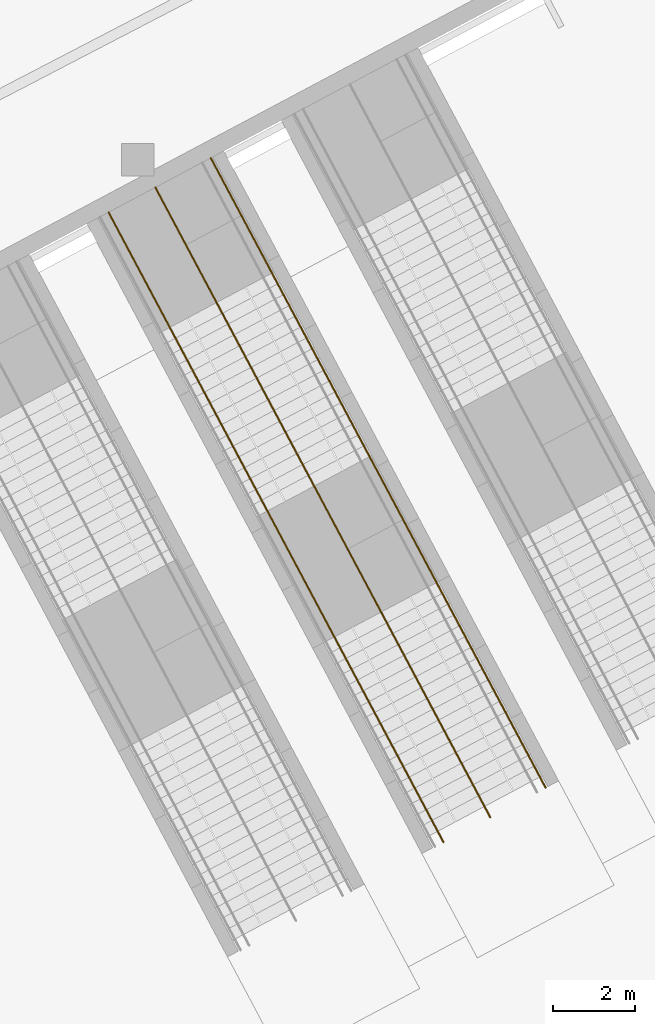
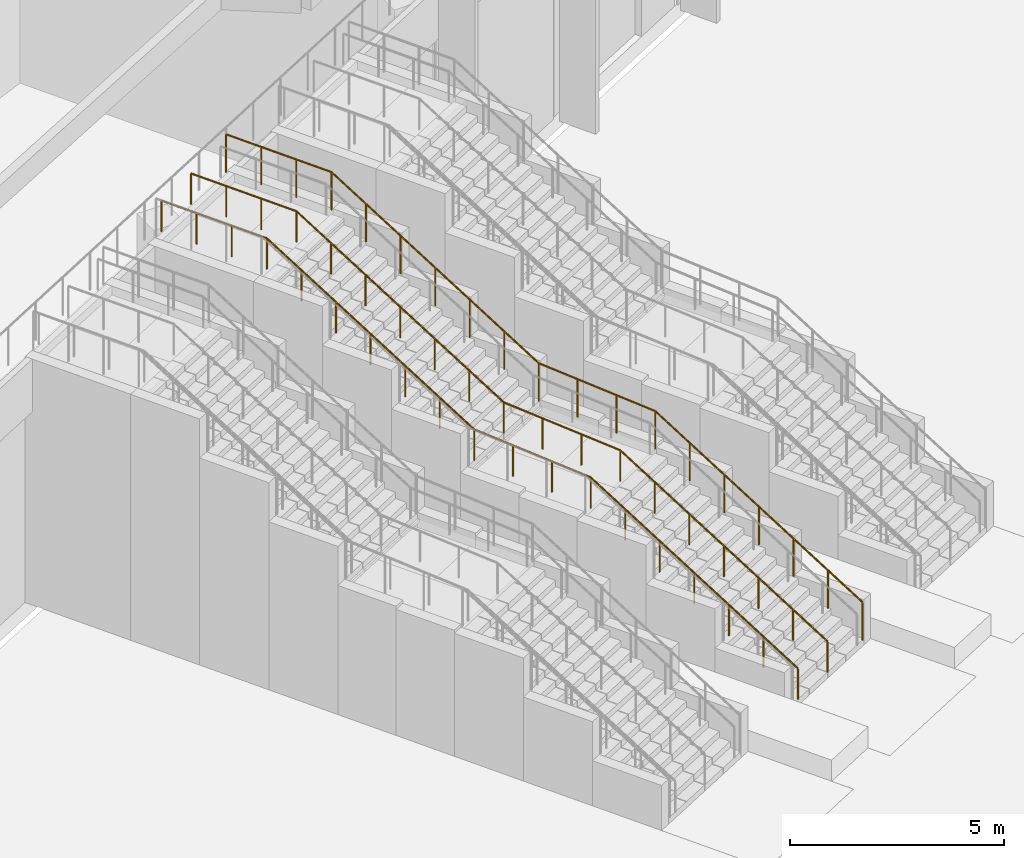
# One storey, part 48 of 57: 3 railings.
"""IFC4 building model written with IfcOpenShell, lengths in metres."""

import ifcopenshell
import ifcopenshell.guid

model = None  # the IFC model being written
_history = None  # IfcOwnerHistory: only IFC2X3 demands one
_inside = {}  # id of a spatial element -> (the spatial element, [elements in it])
_under = {}  # id of a project, library or spatial element -> (it, [spatial elements below it])
_declared = {}  # id of a project -> (the project, [libraries it declares])
_typed = {}  # id of a type object -> (the type object, [elements of that type])
_made_of = {}  # id of a material, layer set ... -> (it, [elements and type objects made of it])


def new_model(schema):
    """Start an empty IFC model of exactly this schema.

    Asked for "IFC4X3", IfcOpenShell would pick the latest addendum, in which some entities
    have other attributes; the version numbers below select the first issue.
    IFC2X3 requires an IfcOwnerHistory on every rooted entity: one is made here for all.
    """
    global model, _history
    if schema == "IFC4X3":
        model = ifcopenshell.file(schema_version=(4, 3, 0, 0))
    else:
        model = ifcopenshell.file(schema=schema)
    _inside.clear()
    _under.clear()
    _declared.clear()
    _typed.clear()
    _made_of.clear()
    _history = None
    if model.schema == "IFC2X3":
        org = make("IfcOrganization", Name="unknown")
        user = make(
            "IfcPersonAndOrganization",
            ThePerson=make("IfcPerson", FamilyName="unknown"),
            TheOrganization=org,
        )
        app = make(
            "IfcApplication",
            ApplicationDeveloper=org,
            Version="unknown",
            ApplicationFullName="unknown",
            ApplicationIdentifier="unknown",
        )
        _history = make(
            "IfcOwnerHistory",
            OwningUser=user,
            OwningApplication=app,
            ChangeAction="ADDED",
            CreationDate=0,
        )
    return model


def make(cls, **values):
    """One entity of the class cls with the attributes given. An attribute that is None is left unset."""
    return model.create_entity(
        cls, **{name: value for name, value in values.items() if value is not None}
    )


def rooted(cls, **values):
    """An entity with a GlobalId (a new one), such as an element, a storey or a relation."""
    return make(cls, GlobalId=ifcopenshell.guid.new(), OwnerHistory=_history, **values)


def si_unit(unit_type, name, prefix=None):
    """IfcSIUnit, for example si_unit("LENGTHUNIT", "METRE", prefix="MILLI")."""
    return make("IfcSIUnit", UnitType=unit_type, Prefix=prefix, Name=name)


def assignment(units):
    """IfcUnitAssignment: the units of a project."""
    return None if units is None else make("IfcUnitAssignment", Units=units)


def point(xyz):
    """IfcCartesianPoint."""
    return None if xyz is None else make("IfcCartesianPoint", Coordinates=xyz)


def direction(xyz):
    """IfcDirection."""
    return None if xyz is None else make("IfcDirection", DirectionRatios=xyz)


def frame(location, z_axis=None, x_axis=None):
    """IfcAxis2Placement3D, a coordinate frame: its origin and axes. An axis left out is left unset."""
    return make(
        "IfcAxis2Placement3D",
        Location=point(location),
        Axis=direction(z_axis),
        RefDirection=direction(x_axis),
    )


def origin():
    """The frame at (0, 0, 0) with its axes left unset."""
    return frame((0.0, 0.0, 0.0))


def place(relative_to, where):
    """IfcLocalPlacement: puts the frame where relative to a parent placement (None: the world)."""
    return make(
        "IfcLocalPlacement", PlacementRelTo=relative_to, RelativePlacement=where
    )


def context(
    kind, dimensions, precision=None, world=None, true_north=None, identifier=None
):
    """IfcGeometricRepresentationContext, for example the 3D "Model" context."""
    return make(
        "IfcGeometricRepresentationContext",
        ContextIdentifier=identifier,
        ContextType=kind,
        CoordinateSpaceDimension=dimensions,
        Precision=precision,
        WorldCoordinateSystem=world,
        TrueNorth=true_north,
    )


def subcontext(parent, identifier, kind, view, scale=None):
    """IfcGeometricRepresentationSubContext, for example "Body" below "Model"."""
    return make(
        "IfcGeometricRepresentationSubContext",
        ContextIdentifier=identifier,
        ContextType=kind,
        ParentContext=parent,
        TargetScale=scale,
        TargetView=view,
    )


def project(units=None, contexts=None):
    """IfcProject with its units and contexts."""
    return rooted(
        "IfcProject",
        Name="project",
        RepresentationContexts=contexts,
        UnitsInContext=assignment(units),
    )


def spatial(cls, under=None, at=None, **own):
    """A site, building, storey or space (cls), placed at a placement, below another one or the project."""
    s = rooted(cls, ObjectPlacement=at, **own)
    if under is not None:
        _under.setdefault(under.id(), (under, []))[1].append(s)
    return s


def polyline(points):
    """IfcPolyline through the points."""
    return make("IfcPolyline", Points=[point(p) for p in points])


def outline(outer, holes=None, kind="AREA"):
    """IfcArbitraryClosedProfileDef: a profile drawn as a closed curve; with holes, ...WithVoids."""
    if holes is None:
        return make("IfcArbitraryClosedProfileDef", ProfileType=kind, OuterCurve=outer)
    return make(
        "IfcArbitraryProfileDefWithVoids",
        ProfileType=kind,
        OuterCurve=outer,
        InnerCurves=holes,
    )


def extrude(swept, where, along, depth):
    """IfcExtrudedAreaSolid: the profile swept, set in the frame where, extruded along a direction by depth."""
    return make(
        "IfcExtrudedAreaSolid",
        SweptArea=swept,
        Position=where,
        ExtrudedDirection=direction(along),
        Depth=depth,
    )


def shape(context_of_items, identifier, shape_type, items):
    """IfcShapeRepresentation: the items that make up one representation, for example the "Body"."""
    return make(
        "IfcShapeRepresentation",
        ContextOfItems=context_of_items,
        RepresentationIdentifier=identifier,
        RepresentationType=shape_type,
        Items=items,
    )


def material(Name=None, Category=None):
    """IfcMaterial."""
    return make("IfcMaterial", Name=Name, Category=Category)


def made_of(thing, what):
    """Note that an element or type object is made of a material, layer set ...; save() writes the relation."""
    if what is not None:
        _made_of.setdefault(what.id(), (what, []))[1].append(thing)
    return thing


def type_object(cls, material=None, **own):
    """A type object (cls), such as IfcWallType, which elements share."""
    return made_of(rooted(cls, **own), material)


def element(
    cls,
    number,
    at=None,
    inside=None,
    cuts=None,
    type_object=None,
    material=None,
    context=None,
    identifier="Body",
    shape_type=None,
    held_by="IfcProductDefinitionShape",
    body=None,
    shapes=None,
    **own,
):
    """One element of the class cls, such as IfcWall. Its Tag is "e" and its number.

    at: its placement. inside: the storey or other place that contains it. cuts: it is an
    opening in that element (IfcRelVoidsElement). A single representation is given by context,
    identifier, shape_type and body (its items); several are given by shapes. held_by: the class
    of the entity that holds the representations. save() writes the other relations.
    """
    e = rooted(cls, Tag="e%d" % number, ObjectPlacement=at, **own)
    if body is not None:
        shapes = [shape(context, identifier, shape_type, body)]
    if shapes is not None:
        e.Representation = make(held_by, Representations=shapes)
    if inside is not None:
        _inside.setdefault(inside.id(), (inside, []))[1].append(e)
    if cuts is not None:
        rooted(
            "IfcRelVoidsElement", RelatingBuildingElement=cuts, RelatedOpeningElement=e
        )
    if type_object is not None:
        _typed.setdefault(type_object.id(), (type_object, []))[1].append(e)
    return made_of(e, material)


def aggregate(whole, parts):
    """IfcRelAggregates: a whole, such as a stair, and the parts it consists of."""
    return rooted("IfcRelAggregates", RelatingObject=whole, RelatedObjects=parts)


def save(model, path):
    """Write the relations noted so far, then the file.

    IfcRelAggregates (storeys below a building ...), IfcRelContainedInSpatialStructure (elements
    in a storey), IfcRelDefinesByType, IfcRelAssociatesMaterial and IfcRelDeclares: one each for
    every whole, place, type object, material and project.
    """
    for whole, parts in _under.values():
        aggregate(whole, parts)
    for where, things in _inside.values():
        rooted(
            "IfcRelContainedInSpatialStructure",
            RelatedElements=things,
            RelatingStructure=where,
        )
    for kind, things in _typed.values():
        rooted("IfcRelDefinesByType", RelatedObjects=things, RelatingType=kind)
    for what, things in _made_of.values():
        rooted("IfcRelAssociatesMaterial", RelatedObjects=things, RelatingMaterial=what)
    for by, libraries in _declared.values():
        rooted("IfcRelDeclares", RelatingContext=by, RelatedDefinitions=libraries)
    model.write(path)


model = new_model("IFC4")

# Units and contexts
model_context = context("Model", 3, precision=1e-05, world=origin(), true_north=direction((0.0, 1.0)))
body_context = subcontext(model_context, "Body", "Model", "MODEL_VIEW")
ifc_project = project(units=[si_unit("LENGTHUNIT", "METRE"), si_unit("AREAUNIT", "SQUARE_METRE"), si_unit("VOLUMEUNIT", "CUBIC_METRE"), si_unit("PLANEANGLEUNIT", "RADIAN"), si_unit("MASSUNIT", "GRAM", prefix="KILO")], contexts=[model_context])

# Site, building, storey
site_placement = place(None, origin())
site = spatial("IfcSite", under=ifc_project, at=site_placement, CompositionType="ELEMENT")
building_placement = place(site_placement, origin())
building = spatial("IfcBuilding", under=site, at=building_placement, Name="Cormorant Relay Tower", CompositionType="ELEMENT")
storey_placement = place(building_placement, origin())
storey = spatial("IfcBuildingStorey", under=building, at=storey_placement, Name="L00", CompositionType="ELEMENT", Elevation=0.0)

# Railings
ifc_material_1 = material(Name="Stainless steel 316", Category="steel")
railing_type_1 = type_object("IfcRailingType", Name="Podium stair handrail 900", PredefinedType="HANDRAIL", material=ifc_material_1)
railing_1_placement = place(storey_placement, frame((42.074951171875, -15.003173828125, 7.0)))
element("IfcRailing", 1, at=railing_1_placement, inside=storey, type_object=railing_type_1, Name="Stair handrail", PredefinedType="HANDRAIL", context=body_context, shape_type="SweptSolid", body=[
    extrude(outline(polyline([(0.022216796875, 0.00927734375), (0.00927734375, 0.022216796875), (-0.00927734375, 0.022216796875), (-0.022216796875, 0.00927734375), (-0.022216796875, -0.00927734375), (-0.00927734375, -0.022216796875), (0.00927734375, -0.022216796875), (0.022216796875, -0.00927734375), (0.022216796875, 0.00927734375)])), frame((0.0, 0.0, 0.8759765625), z_axis=(0.469434248776, -0.882967432059, 0.0), x_axis=(0.882967432059, 0.469434248776, 0.0)), (0.0, 0.0, 1.0), 2.89990234375),
    extrude(outline(polyline([(0.022216796875, 0.00927734375), (0.00927734375, 0.022216796875), (-0.00927734375, 0.022216796875), (-0.022216796875, 0.00927734375), (-0.022216796875, -0.00927734375), (-0.00927734375, -0.022216796875), (0.00927734375, -0.022216796875), (0.022216796875, -0.00927734375), (0.022216796875, 0.00927734375)])), frame((1.361328125, -2.560546875, 0.8759765625), z_axis=(0.40552993965, -0.762667108471, -0.50386937762), x_axis=(0.882941524652, 0.469482975245, 0.0)), (0.0, 0.0, 1.0), 6.598876953125),
    extrude(outline(polyline([(0.022216796875, 0.00927734375), (0.00927734375, 0.022216796875), (-0.00927734375, 0.022216796875), (-0.022216796875, 0.00927734375), (-0.022216796875, -0.00927734375), (-0.00927734375, -0.022216796875), (0.00927734375, -0.022216796875), (0.022216796875, -0.00927734375), (0.022216796875, 0.00927734375)])), frame((4.037353515625, -7.59326171875, -2.44921875), z_axis=(0.468770543329, -0.881629877883, -0.054616262523), x_axis=(0.882947749771, 0.469471267677, 0.0)), (0.0, 0.0, 1.0), 3.205078125),
    extrude(outline(polyline([(0.022216796875, 0.00927734375), (0.00927734375, 0.022216796875), (-0.00927734375, 0.022216796875), (-0.022216796875, 0.00927734375), (-0.022216796875, -0.00927734375), (-0.00927734375, -0.022216796875), (0.00927734375, -0.022216796875), (0.022216796875, -0.00927734375), (0.022216796875, 0.00927734375)])), frame((5.539794921875, -10.4189453125, -2.6240234375), z_axis=(0.40552993965, -0.762667108471, -0.50386937762), x_axis=(0.882941524652, 0.469482975245, 0.0)), (0.0, 0.0, 1.0), 6.598876953125),
    extrude(outline(polyline([(0.019287109375, 0.008056640625), (0.008056640625, 0.019287109375), (-0.008056640625, 0.019287109375), (-0.019287109375, 0.008056640625), (-0.019287109375, -0.008056640625), (-0.008056640625, -0.019287109375), (0.008056640625, -0.019287109375), (0.019287109375, -0.008056640625), (0.019287109375, 0.008056640625)])), origin(), (0.0, 0.0, 1.0), 0.851806640625),
    extrude(outline(polyline([(0.019287109375, 0.008056640625), (0.008056640625, 0.019287109375), (-0.008056640625, 0.019287109375), (-0.019287109375, 0.008056640625), (-0.019287109375, -0.008056640625), (-0.008056640625, -0.019287109375), (0.008056640625, -0.019287109375), (0.019287109375, -0.008056640625), (0.019287109375, 0.008056640625)])), frame((0.453857421875, -0.853515625, 0.0)), (0.0, 0.0, 1.0), 0.851806640625),
    extrude(outline(polyline([(0.019287109375, 0.008056640625), (0.008056640625, 0.019287109375), (-0.008056640625, 0.019287109375), (-0.019287109375, 0.008056640625), (-0.019287109375, -0.008056640625), (-0.008056640625, -0.019287109375), (0.008056640625, -0.019287109375), (0.019287109375, -0.008056640625), (0.019287109375, 0.008056640625)])), frame((0.907470703125, -1.70703125, 0.0)), (0.0, 0.0, 1.0), 0.851806640625),
    extrude(outline(polyline([(0.019287109375, 0.008056640625), (0.008056640625, 0.019287109375), (-0.008056640625, 0.019287109375), (-0.019287109375, 0.008056640625), (-0.019287109375, -0.008056640625), (-0.008056640625, -0.019287109375), (0.008056640625, -0.019287109375), (0.019287109375, -0.008056640625), (0.019287109375, 0.008056640625)])), frame((1.361328125, -2.560546875, 0.0)), (0.0, 0.0, 1.0), 0.851806640625),
    extrude(outline(polyline([(0.019287109375, 0.008056640625), (0.008056640625, 0.019287109375), (-0.008056640625, 0.019287109375), (-0.019287109375, 0.008056640625), (-0.019287109375, -0.008056640625), (-0.008056640625, -0.019287109375), (0.008056640625, -0.019287109375), (0.019287109375, -0.008056640625), (0.019287109375, 0.008056640625)])), frame((1.807373046875, -3.3994140625, -0.55419921875)), (0.0, 0.0, 1.0), 0.851806640625),
    extrude(outline(polyline([(0.019287109375, 0.008056640625), (0.008056640625, 0.019287109375), (-0.008056640625, 0.019287109375), (-0.019287109375, 0.008056640625), (-0.019287109375, -0.008056640625), (-0.008056640625, -0.019287109375), (0.008056640625, -0.019287109375), (0.019287109375, -0.008056640625), (0.019287109375, 0.008056640625)])), frame((2.25341796875, -4.238037109375, -1.1083984375)), (0.0, 0.0, 1.0), 0.851806640625),
    extrude(outline(polyline([(0.019287109375, 0.008056640625), (0.008056640625, 0.019287109375), (-0.008056640625, 0.019287109375), (-0.019287109375, 0.008056640625), (-0.019287109375, -0.008056640625), (-0.008056640625, -0.019287109375), (0.008056640625, -0.019287109375), (0.019287109375, -0.008056640625), (0.019287109375, 0.008056640625)])), frame((2.69921875, -5.076904296875, -1.66259765625)), (0.0, 0.0, 1.0), 0.851806640625),
    extrude(outline(polyline([(0.019287109375, 0.008056640625), (0.008056640625, 0.019287109375), (-0.008056640625, 0.019287109375), (-0.019287109375, 0.008056640625), (-0.019287109375, -0.008056640625), (-0.008056640625, -0.019287109375), (0.008056640625, -0.019287109375), (0.019287109375, -0.008056640625), (0.019287109375, 0.008056640625)])), frame((3.145263671875, -5.915771484375, -2.216552734375)), (0.0, 0.0, 1.0), 0.851806640625),
    extrude(outline(polyline([(0.019287109375, 0.008056640625), (0.008056640625, 0.019287109375), (-0.008056640625, 0.019287109375), (-0.019287109375, 0.008056640625), (-0.019287109375, -0.008056640625), (-0.008056640625, -0.019287109375), (0.008056640625, -0.019287109375), (0.019287109375, -0.008056640625), (0.019287109375, 0.008056640625)])), frame((3.59130859375, -6.75439453125, -2.770751953125)), (0.0, 0.0, 1.0), 0.851806640625),
    extrude(outline(polyline([(0.019287109375, 0.008056640625), (0.008056640625, 0.019287109375), (-0.008056640625, 0.019287109375), (-0.019287109375, 0.008056640625), (-0.019287109375, -0.008056640625), (-0.008056640625, -0.019287109375), (0.008056640625, -0.019287109375), (0.019287109375, -0.008056640625), (0.019287109375, 0.008056640625)])), frame((4.037353515625, -7.59326171875, -3.324951171875)), (0.0, 0.0, 1.0), 0.851806640625),
    extrude(outline(polyline([(0.019287109375, 0.008056640625), (0.008056640625, 0.019287109375), (-0.008056640625, 0.019287109375), (-0.019287109375, 0.008056640625), (-0.019287109375, -0.008056640625), (-0.008056640625, -0.019287109375), (0.008056640625, -0.019287109375), (0.019287109375, -0.008056640625), (0.019287109375, 0.008056640625)])), frame((4.5380859375, -8.53515625, -3.38330078125)), (0.0, 0.0, 1.0), 0.851806640625),
    extrude(outline(polyline([(0.019287109375, 0.008056640625), (0.008056640625, 0.019287109375), (-0.008056640625, 0.019287109375), (-0.019287109375, 0.008056640625), (-0.019287109375, -0.008056640625), (-0.008056640625, -0.019287109375), (0.008056640625, -0.019287109375), (0.019287109375, -0.008056640625), (0.019287109375, 0.008056640625)])), frame((5.0390625, -9.47705078125, -3.441650390625)), (0.0, 0.0, 1.0), 0.851806640625),
    extrude(outline(polyline([(0.019287109375, 0.008056640625), (0.008056640625, 0.019287109375), (-0.008056640625, 0.019287109375), (-0.019287109375, 0.008056640625), (-0.019287109375, -0.008056640625), (-0.008056640625, -0.019287109375), (0.008056640625, -0.019287109375), (0.019287109375, -0.008056640625), (0.019287109375, 0.008056640625)])), frame((5.539794921875, -10.4189453125, -3.5)), (0.0, 0.0, 1.0), 0.851806640625),
    extrude(outline(polyline([(0.019287109375, 0.008056640625), (0.008056640625, 0.019287109375), (-0.008056640625, 0.019287109375), (-0.019287109375, 0.008056640625), (-0.019287109375, -0.008056640625), (-0.008056640625, -0.019287109375), (0.008056640625, -0.019287109375), (0.019287109375, -0.008056640625), (0.019287109375, 0.008056640625)])), frame((5.98583984375, -11.2578125, -4.05419921875)), (0.0, 0.0, 1.0), 0.851806640625),
    extrude(outline(polyline([(0.019287109375, 0.008056640625), (0.008056640625, 0.019287109375), (-0.008056640625, 0.019287109375), (-0.019287109375, 0.008056640625), (-0.019287109375, -0.008056640625), (-0.008056640625, -0.019287109375), (0.008056640625, -0.019287109375), (0.019287109375, -0.008056640625), (0.019287109375, 0.008056640625)])), frame((6.431884765625, -12.096435546875, -4.6083984375)), (0.0, 0.0, 1.0), 0.851806640625),
    extrude(outline(polyline([(0.019287109375, 0.008056640625), (0.008056640625, 0.019287109375), (-0.008056640625, 0.019287109375), (-0.019287109375, 0.008056640625), (-0.019287109375, -0.008056640625), (-0.008056640625, -0.019287109375), (0.008056640625, -0.019287109375), (0.019287109375, -0.008056640625), (0.019287109375, 0.008056640625)])), frame((6.8779296875, -12.935302734375, -5.16259765625)), (0.0, 0.0, 1.0), 0.851806640625),
    extrude(outline(polyline([(0.019287109375, 0.008056640625), (0.008056640625, 0.019287109375), (-0.008056640625, 0.019287109375), (-0.019287109375, 0.008056640625), (-0.019287109375, -0.008056640625), (-0.008056640625, -0.019287109375), (0.008056640625, -0.019287109375), (0.019287109375, -0.008056640625), (0.019287109375, 0.008056640625)])), frame((7.32373046875, -13.774169921875, -5.716552734375)), (0.0, 0.0, 1.0), 0.851806640625),
    extrude(outline(polyline([(0.019287109375, 0.008056640625), (0.008056640625, 0.019287109375), (-0.008056640625, 0.019287109375), (-0.019287109375, 0.008056640625), (-0.019287109375, -0.008056640625), (-0.008056640625, -0.019287109375), (0.008056640625, -0.019287109375), (0.019287109375, -0.008056640625), (0.019287109375, 0.008056640625)])), frame((7.769775390625, -14.61279296875, -6.270751953125)), (0.0, 0.0, 1.0), 0.851806640625),
    extrude(outline(polyline([(0.019287109375, 0.008056640625), (0.008056640625, 0.019287109375), (-0.008056640625, 0.019287109375), (-0.019287109375, 0.008056640625), (-0.019287109375, -0.008056640625), (-0.008056640625, -0.019287109375), (0.008056640625, -0.019287109375), (0.019287109375, -0.008056640625), (0.019287109375, 0.008056640625)])), frame((8.2158203125, -15.45166015625, -6.824951171875)), (0.0, 0.0, 1.0), 0.851806640625),
])
railing_2_placement = place(storey_placement, frame((43.22265625, -14.392822265625, 7.0)))
element("IfcRailing", 2, at=railing_2_placement, inside=storey, type_object=railing_type_1, Name="Stair handrail", PredefinedType="HANDRAIL", context=body_context, shape_type="SweptSolid", body=[
    extrude(outline(polyline([(0.022216796875, 0.00927734375), (0.00927734375, 0.022216796875), (-0.00927734375, 0.022216796875), (-0.022216796875, 0.00927734375), (-0.022216796875, -0.00927734375), (-0.00927734375, -0.022216796875), (0.00927734375, -0.022216796875), (0.022216796875, -0.00927734375), (0.022216796875, 0.00927734375)])), frame((0.0, 0.0, 0.8759765625), z_axis=(0.469499880774, -0.882932535335, 0.0), x_axis=(0.882932535335, 0.469499880774, 0.0)), (0.0, 0.0, 1.0), 2.900146484375),
    extrude(outline(polyline([(0.022216796875, 0.00927734375), (0.00927734375, 0.022216796875), (-0.00927734375, 0.022216796875), (-0.022216796875, 0.00927734375), (-0.022216796875, -0.00927734375), (-0.00927734375, -0.022216796875), (0.00927734375, -0.022216796875), (0.022216796875, -0.00927734375), (0.022216796875, 0.00927734375)])), frame((1.361572265625, -2.560546875, 0.8759765625), z_axis=(0.40552993965, -0.762667108471, -0.50386937762), x_axis=(0.882941524652, 0.469482975245, 0.0)), (0.0, 0.0, 1.0), 6.598876953125),
    extrude(outline(polyline([(0.022216796875, 0.00927734375), (0.00927734375, 0.022216796875), (-0.00927734375, 0.022216796875), (-0.022216796875, 0.00927734375), (-0.022216796875, -0.00927734375), (-0.00927734375, -0.022216796875), (0.00927734375, -0.022216796875), (0.022216796875, -0.00927734375), (0.022216796875, 0.00927734375)])), frame((4.03759765625, -7.59326171875, -2.44921875), z_axis=(0.468711105603, -0.881661358077, -0.054618212696), x_axis=(0.882979371353, 0.469411791251, 0.0)), (0.0, 0.0, 1.0), 3.204833984375),
    extrude(outline(polyline([(0.022216796875, 0.00927734375), (0.00927734375, 0.022216796875), (-0.00927734375, 0.022216796875), (-0.022216796875, 0.00927734375), (-0.022216796875, -0.00927734375), (-0.00927734375, -0.022216796875), (0.00927734375, -0.022216796875), (0.022216796875, -0.00927734375), (0.022216796875, 0.00927734375)])), frame((5.539794921875, -10.4189453125, -2.6240234375), z_axis=(0.40552993965, -0.762667108471, -0.50386937762), x_axis=(0.882941524652, 0.469482975245, 0.0)), (0.0, 0.0, 1.0), 6.598876953125),
    extrude(outline(polyline([(0.019287109375, 0.008056640625), (0.008056640625, 0.019287109375), (-0.008056640625, 0.019287109375), (-0.019287109375, 0.008056640625), (-0.019287109375, -0.008056640625), (-0.008056640625, -0.019287109375), (0.008056640625, -0.019287109375), (0.019287109375, -0.008056640625), (0.019287109375, 0.008056640625)])), origin(), (0.0, 0.0, 1.0), 0.851806640625),
    extrude(outline(polyline([(0.019287109375, 0.008056640625), (0.008056640625, 0.019287109375), (-0.008056640625, 0.019287109375), (-0.019287109375, 0.008056640625), (-0.019287109375, -0.008056640625), (-0.008056640625, -0.019287109375), (0.008056640625, -0.019287109375), (0.019287109375, -0.008056640625), (0.019287109375, 0.008056640625)])), frame((0.453857421875, -0.853515625, 0.0)), (0.0, 0.0, 1.0), 0.851806640625),
    extrude(outline(polyline([(0.019287109375, 0.008056640625), (0.008056640625, 0.019287109375), (-0.008056640625, 0.019287109375), (-0.019287109375, 0.008056640625), (-0.019287109375, -0.008056640625), (-0.008056640625, -0.019287109375), (0.008056640625, -0.019287109375), (0.019287109375, -0.008056640625), (0.019287109375, 0.008056640625)])), frame((0.90771484375, -1.70703125, 0.0)), (0.0, 0.0, 1.0), 0.851806640625),
    extrude(outline(polyline([(0.019287109375, 0.008056640625), (0.008056640625, 0.019287109375), (-0.008056640625, 0.019287109375), (-0.019287109375, 0.008056640625), (-0.019287109375, -0.008056640625), (-0.008056640625, -0.019287109375), (0.008056640625, -0.019287109375), (0.019287109375, -0.008056640625), (0.019287109375, 0.008056640625)])), frame((1.361572265625, -2.560546875, 0.0)), (0.0, 0.0, 1.0), 0.851806640625),
    extrude(outline(polyline([(0.019287109375, 0.008056640625), (0.008056640625, 0.019287109375), (-0.008056640625, 0.019287109375), (-0.019287109375, 0.008056640625), (-0.019287109375, -0.008056640625), (-0.008056640625, -0.019287109375), (0.008056640625, -0.019287109375), (0.019287109375, -0.008056640625), (0.019287109375, 0.008056640625)])), frame((1.8076171875, -3.3994140625, -0.55419921875)), (0.0, 0.0, 1.0), 0.851806640625),
    extrude(outline(polyline([(0.019287109375, 0.008056640625), (0.008056640625, 0.019287109375), (-0.008056640625, 0.019287109375), (-0.019287109375, 0.008056640625), (-0.019287109375, -0.008056640625), (-0.008056640625, -0.019287109375), (0.008056640625, -0.019287109375), (0.019287109375, -0.008056640625), (0.019287109375, 0.008056640625)])), frame((2.253662109375, -4.238037109375, -1.1083984375)), (0.0, 0.0, 1.0), 0.851806640625),
    extrude(outline(polyline([(0.019287109375, 0.008056640625), (0.008056640625, 0.019287109375), (-0.008056640625, 0.019287109375), (-0.019287109375, 0.008056640625), (-0.019287109375, -0.008056640625), (-0.008056640625, -0.019287109375), (0.008056640625, -0.019287109375), (0.019287109375, -0.008056640625), (0.019287109375, 0.008056640625)])), frame((2.69970703125, -5.076904296875, -1.66259765625)), (0.0, 0.0, 1.0), 0.851806640625),
    extrude(outline(polyline([(0.019287109375, 0.008056640625), (0.008056640625, 0.019287109375), (-0.008056640625, 0.019287109375), (-0.019287109375, 0.008056640625), (-0.019287109375, -0.008056640625), (-0.008056640625, -0.019287109375), (0.008056640625, -0.019287109375), (0.019287109375, -0.008056640625), (0.019287109375, 0.008056640625)])), frame((3.1455078125, -5.915771484375, -2.216552734375)), (0.0, 0.0, 1.0), 0.851806640625),
    extrude(outline(polyline([(0.019287109375, 0.008056640625), (0.008056640625, 0.019287109375), (-0.008056640625, 0.019287109375), (-0.019287109375, 0.008056640625), (-0.019287109375, -0.008056640625), (-0.008056640625, -0.019287109375), (0.008056640625, -0.019287109375), (0.019287109375, -0.008056640625), (0.019287109375, 0.008056640625)])), frame((3.591552734375, -6.75439453125, -2.770751953125)), (0.0, 0.0, 1.0), 0.851806640625),
    extrude(outline(polyline([(0.019287109375, 0.008056640625), (0.008056640625, 0.019287109375), (-0.008056640625, 0.019287109375), (-0.019287109375, 0.008056640625), (-0.019287109375, -0.008056640625), (-0.008056640625, -0.019287109375), (0.008056640625, -0.019287109375), (0.019287109375, -0.008056640625), (0.019287109375, 0.008056640625)])), frame((4.03759765625, -7.59326171875, -3.324951171875)), (0.0, 0.0, 1.0), 0.851806640625),
    extrude(outline(polyline([(0.019287109375, 0.008056640625), (0.008056640625, 0.019287109375), (-0.008056640625, 0.019287109375), (-0.019287109375, 0.008056640625), (-0.019287109375, -0.008056640625), (-0.008056640625, -0.019287109375), (0.008056640625, -0.019287109375), (0.019287109375, -0.008056640625), (0.019287109375, 0.008056640625)])), frame((4.538330078125, -8.53515625, -3.38330078125)), (0.0, 0.0, 1.0), 0.851806640625),
    extrude(outline(polyline([(0.019287109375, 0.008056640625), (0.008056640625, 0.019287109375), (-0.008056640625, 0.019287109375), (-0.019287109375, 0.008056640625), (-0.019287109375, -0.008056640625), (-0.008056640625, -0.019287109375), (0.008056640625, -0.019287109375), (0.019287109375, -0.008056640625), (0.019287109375, 0.008056640625)])), frame((5.0390625, -9.47705078125, -3.441650390625)), (0.0, 0.0, 1.0), 0.851806640625),
    extrude(outline(polyline([(0.019287109375, 0.008056640625), (0.008056640625, 0.019287109375), (-0.008056640625, 0.019287109375), (-0.019287109375, 0.008056640625), (-0.019287109375, -0.008056640625), (-0.008056640625, -0.019287109375), (0.008056640625, -0.019287109375), (0.019287109375, -0.008056640625), (0.019287109375, 0.008056640625)])), frame((5.539794921875, -10.4189453125, -3.5)), (0.0, 0.0, 1.0), 0.851806640625),
    extrude(outline(polyline([(0.019287109375, 0.008056640625), (0.008056640625, 0.019287109375), (-0.008056640625, 0.019287109375), (-0.019287109375, 0.008056640625), (-0.019287109375, -0.008056640625), (-0.008056640625, -0.019287109375), (0.008056640625, -0.019287109375), (0.019287109375, -0.008056640625), (0.019287109375, 0.008056640625)])), frame((5.98583984375, -11.2578125, -4.05419921875)), (0.0, 0.0, 1.0), 0.851806640625),
    extrude(outline(polyline([(0.019287109375, 0.008056640625), (0.008056640625, 0.019287109375), (-0.008056640625, 0.019287109375), (-0.019287109375, 0.008056640625), (-0.019287109375, -0.008056640625), (-0.008056640625, -0.019287109375), (0.008056640625, -0.019287109375), (0.019287109375, -0.008056640625), (0.019287109375, 0.008056640625)])), frame((6.431884765625, -12.096435546875, -4.6083984375)), (0.0, 0.0, 1.0), 0.851806640625),
    extrude(outline(polyline([(0.019287109375, 0.008056640625), (0.008056640625, 0.019287109375), (-0.008056640625, 0.019287109375), (-0.019287109375, 0.008056640625), (-0.019287109375, -0.008056640625), (-0.008056640625, -0.019287109375), (0.008056640625, -0.019287109375), (0.019287109375, -0.008056640625), (0.019287109375, 0.008056640625)])), frame((6.8779296875, -12.935302734375, -5.16259765625)), (0.0, 0.0, 1.0), 0.851806640625),
    extrude(outline(polyline([(0.019287109375, 0.008056640625), (0.008056640625, 0.019287109375), (-0.008056640625, 0.019287109375), (-0.019287109375, 0.008056640625), (-0.019287109375, -0.008056640625), (-0.008056640625, -0.019287109375), (0.008056640625, -0.019287109375), (0.019287109375, -0.008056640625), (0.019287109375, 0.008056640625)])), frame((7.32373046875, -13.774169921875, -5.716552734375)), (0.0, 0.0, 1.0), 0.851806640625),
    extrude(outline(polyline([(0.019287109375, 0.008056640625), (0.008056640625, 0.019287109375), (-0.008056640625, 0.019287109375), (-0.019287109375, 0.008056640625), (-0.019287109375, -0.008056640625), (-0.008056640625, -0.019287109375), (0.008056640625, -0.019287109375), (0.019287109375, -0.008056640625), (0.019287109375, 0.008056640625)])), frame((7.769775390625, -14.61279296875, -6.270751953125)), (0.0, 0.0, 1.0), 0.851806640625),
    extrude(outline(polyline([(0.019287109375, 0.008056640625), (0.008056640625, 0.019287109375), (-0.008056640625, 0.019287109375), (-0.019287109375, 0.008056640625), (-0.019287109375, -0.008056640625), (-0.008056640625, -0.019287109375), (0.008056640625, -0.019287109375), (0.019287109375, -0.008056640625), (0.019287109375, 0.008056640625)])), frame((8.2158203125, -15.45166015625, -6.824951171875)), (0.0, 0.0, 1.0), 0.851806640625),
])
ifc_material_2 = material(Name="Bronze anodised aluminium", Category="aluminium")
railing_type_2 = type_object("IfcRailingType", Name="Stair guard steel 1100", PredefinedType="GUARDRAIL", material=ifc_material_2)
railing_3_placement = place(storey_placement, frame((44.58251953125, -13.669921875, 7.0)))
element("IfcRailing", 3, at=railing_3_placement, inside=storey, type_object=railing_type_2, Name="Stair guard", PredefinedType="GUARDRAIL", context=body_context, shape_type="SweptSolid", body=[
    extrude(outline(polyline([(0.022216796875, 0.00927734375), (0.00927734375, 0.022216796875), (-0.00927734375, 0.022216796875), (-0.022216796875, 0.00927734375), (-0.022216796875, -0.00927734375), (-0.00927734375, -0.022216796875), (0.00927734375, -0.022216796875), (0.022216796875, -0.00927734375), (0.022216796875, 0.00927734375)])), frame((0.0, 0.0, 1.076171875), z_axis=(0.469434248776, -0.882967432059, 0.0), x_axis=(0.882967432059, 0.469434248776, 0.0)), (0.0, 0.0, 1.0), 2.89990234375),
    extrude(outline(polyline([(0.022216796875, 0.00927734375), (0.00927734375, 0.022216796875), (-0.00927734375, 0.022216796875), (-0.022216796875, 0.00927734375), (-0.022216796875, -0.00927734375), (-0.00927734375, -0.022216796875), (0.00927734375, -0.022216796875), (0.022216796875, -0.00927734375), (0.022216796875, 0.00927734375)])), frame((1.361328125, -2.560546875, 1.076171875), z_axis=(0.40552993965, -0.762667108471, -0.50386937762), x_axis=(0.882941524652, 0.469482975245, 0.0)), (0.0, 0.0, 1.0), 6.598876953125),
    extrude(outline(polyline([(0.022216796875, 0.00927734375), (0.00927734375, 0.022216796875), (-0.00927734375, 0.022216796875), (-0.022216796875, 0.00927734375), (-0.022216796875, -0.00927734375), (-0.00927734375, -0.022216796875), (0.00927734375, -0.022216796875), (0.022216796875, -0.00927734375), (0.022216796875, 0.00927734375)])), frame((4.037353515625, -7.59326171875, -2.2490234375), z_axis=(0.468802026207, -0.881612910187, -0.05461993058), x_axis=(0.88293093413, 0.469502891958, 0.0)), (0.0, 0.0, 1.0), 3.204833984375),
    extrude(outline(polyline([(0.022216796875, 0.00927734375), (0.00927734375, 0.022216796875), (-0.00927734375, 0.022216796875), (-0.022216796875, 0.00927734375), (-0.022216796875, -0.00927734375), (-0.00927734375, -0.022216796875), (0.00927734375, -0.022216796875), (0.022216796875, -0.00927734375), (0.022216796875, 0.00927734375)])), frame((5.539794921875, -10.418701171875, -2.423828125), z_axis=(0.405487583814, -0.762694027401, -0.503862719339), x_axis=(0.882968718533, 0.469431829014, 0.0)), (0.0, 0.0, 1.0), 6.598876953125),
    extrude(outline(polyline([(0.019287109375, 0.008056640625), (0.008056640625, 0.019287109375), (-0.008056640625, 0.019287109375), (-0.019287109375, 0.008056640625), (-0.019287109375, -0.008056640625), (-0.008056640625, -0.019287109375), (0.008056640625, -0.019287109375), (0.019287109375, -0.008056640625), (0.019287109375, 0.008056640625)])), origin(), (0.0, 0.0, 1.0), 1.052001953125),
    extrude(outline(polyline([(0.019287109375, 0.008056640625), (0.008056640625, 0.019287109375), (-0.008056640625, 0.019287109375), (-0.019287109375, 0.008056640625), (-0.019287109375, -0.008056640625), (-0.008056640625, -0.019287109375), (0.008056640625, -0.019287109375), (0.019287109375, -0.008056640625), (0.019287109375, 0.008056640625)])), frame((0.453857421875, -0.853515625, 0.0)), (0.0, 0.0, 1.0), 1.052001953125),
    extrude(outline(polyline([(0.019287109375, 0.008056640625), (0.008056640625, 0.019287109375), (-0.008056640625, 0.019287109375), (-0.019287109375, 0.008056640625), (-0.019287109375, -0.008056640625), (-0.008056640625, -0.019287109375), (0.008056640625, -0.019287109375), (0.019287109375, -0.008056640625), (0.019287109375, 0.008056640625)])), frame((0.907470703125, -1.70703125, 0.0)), (0.0, 0.0, 1.0), 1.052001953125),
    extrude(outline(polyline([(0.019287109375, 0.008056640625), (0.008056640625, 0.019287109375), (-0.008056640625, 0.019287109375), (-0.019287109375, 0.008056640625), (-0.019287109375, -0.008056640625), (-0.008056640625, -0.019287109375), (0.008056640625, -0.019287109375), (0.019287109375, -0.008056640625), (0.019287109375, 0.008056640625)])), frame((1.361328125, -2.560546875, 0.0)), (0.0, 0.0, 1.0), 1.052001953125),
    extrude(outline(polyline([(0.019287109375, 0.008056640625), (0.008056640625, 0.019287109375), (-0.008056640625, 0.019287109375), (-0.019287109375, 0.008056640625), (-0.019287109375, -0.008056640625), (-0.008056640625, -0.019287109375), (0.008056640625, -0.019287109375), (0.019287109375, -0.008056640625), (0.019287109375, 0.008056640625)])), frame((1.807373046875, -3.3994140625, -0.55419921875)), (0.0, 0.0, 1.0), 1.052001953125),
    extrude(outline(polyline([(0.019287109375, 0.008056640625), (0.008056640625, 0.019287109375), (-0.008056640625, 0.019287109375), (-0.019287109375, 0.008056640625), (-0.019287109375, -0.008056640625), (-0.008056640625, -0.019287109375), (0.008056640625, -0.019287109375), (0.019287109375, -0.008056640625), (0.019287109375, 0.008056640625)])), frame((2.25341796875, -4.238037109375, -1.1083984375)), (0.0, 0.0, 1.0), 1.052001953125),
    extrude(outline(polyline([(0.019287109375, 0.008056640625), (0.008056640625, 0.019287109375), (-0.008056640625, 0.019287109375), (-0.019287109375, 0.008056640625), (-0.019287109375, -0.008056640625), (-0.008056640625, -0.019287109375), (0.008056640625, -0.019287109375), (0.019287109375, -0.008056640625), (0.019287109375, 0.008056640625)])), frame((2.69921875, -5.076904296875, -1.66259765625)), (0.0, 0.0, 1.0), 1.052001953125),
    extrude(outline(polyline([(0.019287109375, 0.008056640625), (0.008056640625, 0.019287109375), (-0.008056640625, 0.019287109375), (-0.019287109375, 0.008056640625), (-0.019287109375, -0.008056640625), (-0.008056640625, -0.019287109375), (0.008056640625, -0.019287109375), (0.019287109375, -0.008056640625), (0.019287109375, 0.008056640625)])), frame((3.145263671875, -5.915771484375, -2.216552734375)), (0.0, 0.0, 1.0), 1.052001953125),
    extrude(outline(polyline([(0.019287109375, 0.008056640625), (0.008056640625, 0.019287109375), (-0.008056640625, 0.019287109375), (-0.019287109375, 0.008056640625), (-0.019287109375, -0.008056640625), (-0.008056640625, -0.019287109375), (0.008056640625, -0.019287109375), (0.019287109375, -0.008056640625), (0.019287109375, 0.008056640625)])), frame((3.59130859375, -6.75439453125, -2.770751953125)), (0.0, 0.0, 1.0), 1.052001953125),
    extrude(outline(polyline([(0.019287109375, 0.008056640625), (0.008056640625, 0.019287109375), (-0.008056640625, 0.019287109375), (-0.019287109375, 0.008056640625), (-0.019287109375, -0.008056640625), (-0.008056640625, -0.019287109375), (0.008056640625, -0.019287109375), (0.019287109375, -0.008056640625), (0.019287109375, 0.008056640625)])), frame((4.037353515625, -7.59326171875, -3.324951171875)), (0.0, 0.0, 1.0), 1.052001953125),
    extrude(outline(polyline([(0.019287109375, 0.008056640625), (0.008056640625, 0.019287109375), (-0.008056640625, 0.019287109375), (-0.019287109375, 0.008056640625), (-0.019287109375, -0.008056640625), (-0.008056640625, -0.019287109375), (0.008056640625, -0.019287109375), (0.019287109375, -0.008056640625), (0.019287109375, 0.008056640625)])), frame((4.5380859375, -8.53515625, -3.38330078125)), (0.0, 0.0, 1.0), 1.052001953125),
    extrude(outline(polyline([(0.019287109375, 0.008056640625), (0.008056640625, 0.019287109375), (-0.008056640625, 0.019287109375), (-0.019287109375, 0.008056640625), (-0.019287109375, -0.008056640625), (-0.008056640625, -0.019287109375), (0.008056640625, -0.019287109375), (0.019287109375, -0.008056640625), (0.019287109375, 0.008056640625)])), frame((5.0390625, -9.476806640625, -3.441650390625)), (0.0, 0.0, 1.0), 1.052001953125),
    extrude(outline(polyline([(0.019287109375, 0.008056640625), (0.008056640625, 0.019287109375), (-0.008056640625, 0.019287109375), (-0.019287109375, 0.008056640625), (-0.019287109375, -0.008056640625), (-0.008056640625, -0.019287109375), (0.008056640625, -0.019287109375), (0.019287109375, -0.008056640625), (0.019287109375, 0.008056640625)])), frame((5.539794921875, -10.418701171875, -3.5)), (0.0, 0.0, 1.0), 1.052001953125),
    extrude(outline(polyline([(0.019287109375, 0.008056640625), (0.008056640625, 0.019287109375), (-0.008056640625, 0.019287109375), (-0.019287109375, 0.008056640625), (-0.019287109375, -0.008056640625), (-0.008056640625, -0.019287109375), (0.008056640625, -0.019287109375), (0.019287109375, -0.008056640625), (0.019287109375, 0.008056640625)])), frame((5.98583984375, -11.257568359375, -4.05419921875)), (0.0, 0.0, 1.0), 1.052001953125),
    extrude(outline(polyline([(0.019287109375, 0.008056640625), (0.008056640625, 0.019287109375), (-0.008056640625, 0.019287109375), (-0.019287109375, 0.008056640625), (-0.019287109375, -0.008056640625), (-0.008056640625, -0.019287109375), (0.008056640625, -0.019287109375), (0.019287109375, -0.008056640625), (0.019287109375, 0.008056640625)])), frame((6.431640625, -12.096435546875, -4.6083984375)), (0.0, 0.0, 1.0), 1.052001953125),
    extrude(outline(polyline([(0.019287109375, 0.008056640625), (0.008056640625, 0.019287109375), (-0.008056640625, 0.019287109375), (-0.019287109375, 0.008056640625), (-0.019287109375, -0.008056640625), (-0.008056640625, -0.019287109375), (0.008056640625, -0.019287109375), (0.019287109375, -0.008056640625), (0.019287109375, 0.008056640625)])), frame((6.877685546875, -12.93505859375, -5.16259765625)), (0.0, 0.0, 1.0), 1.052001953125),
    extrude(outline(polyline([(0.019287109375, 0.008056640625), (0.008056640625, 0.019287109375), (-0.008056640625, 0.019287109375), (-0.019287109375, 0.008056640625), (-0.019287109375, -0.008056640625), (-0.008056640625, -0.019287109375), (0.008056640625, -0.019287109375), (0.019287109375, -0.008056640625), (0.019287109375, 0.008056640625)])), frame((7.32373046875, -13.77392578125, -5.716552734375)), (0.0, 0.0, 1.0), 1.052001953125),
    extrude(outline(polyline([(0.019287109375, 0.008056640625), (0.008056640625, 0.019287109375), (-0.008056640625, 0.019287109375), (-0.019287109375, 0.008056640625), (-0.019287109375, -0.008056640625), (-0.008056640625, -0.019287109375), (0.008056640625, -0.019287109375), (0.019287109375, -0.008056640625), (0.019287109375, 0.008056640625)])), frame((7.76953125, -14.61279296875, -6.270751953125)), (0.0, 0.0, 1.0), 1.052001953125),
    extrude(outline(polyline([(0.019287109375, 0.008056640625), (0.008056640625, 0.019287109375), (-0.008056640625, 0.019287109375), (-0.019287109375, 0.008056640625), (-0.019287109375, -0.008056640625), (-0.008056640625, -0.019287109375), (0.008056640625, -0.019287109375), (0.019287109375, -0.008056640625), (0.019287109375, 0.008056640625)])), frame((8.215576171875, -15.45166015625, -6.824951171875)), (0.0, 0.0, 1.0), 1.052001953125),
])

save(model, "model.ifc")
